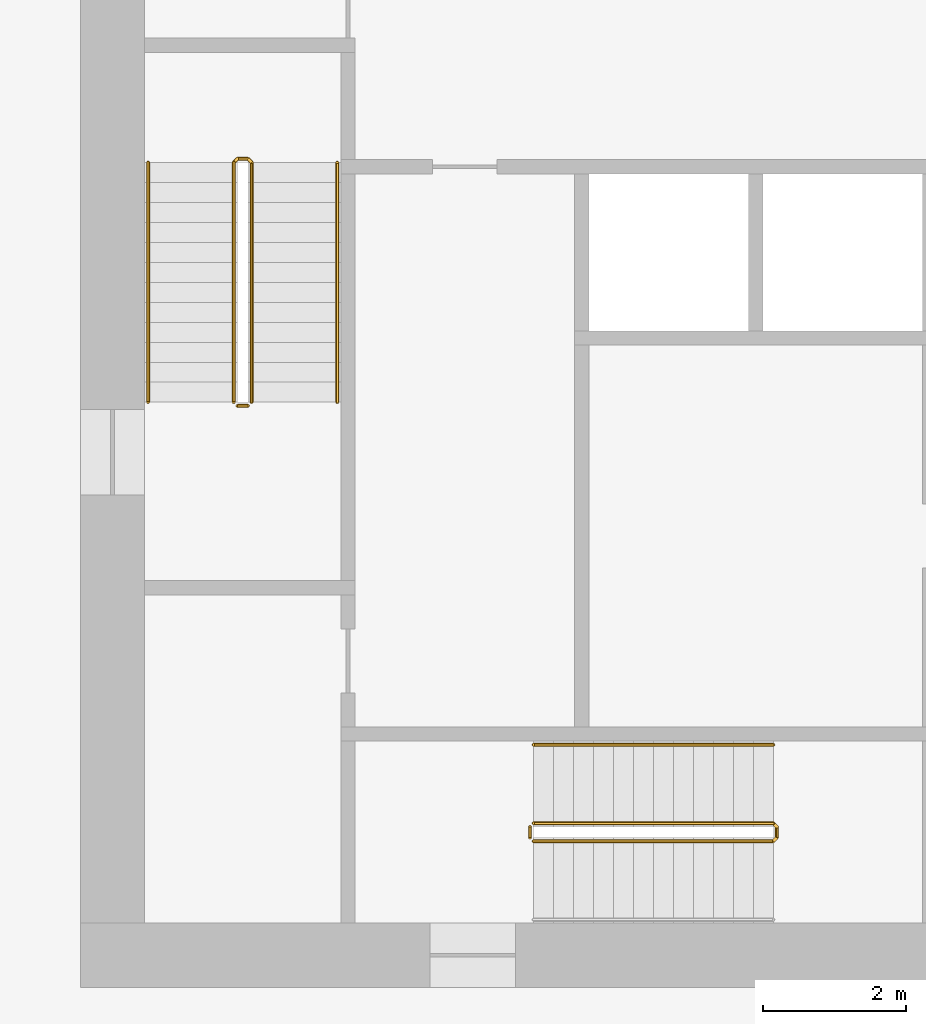
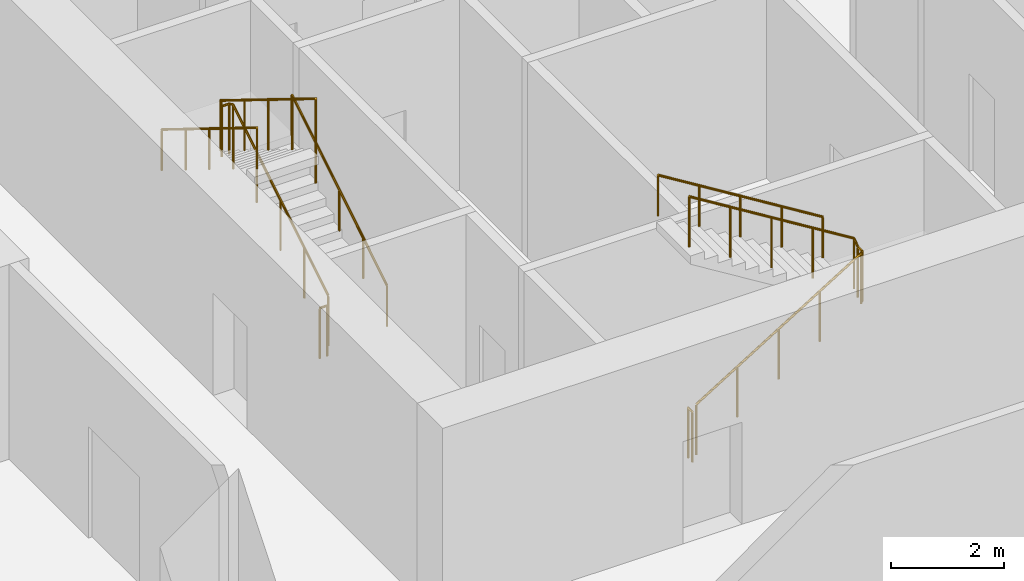
# One storey, part 15 of 18: 7 railings.
"""IFC4 building model written with IfcOpenShell, lengths in metres."""

from ifc_helpers import new_model, si_unit, direction, frame, origin, origin_2d, place, context, subcontext, project, spatial, circle, extrude, material, type_object, element, save


model = new_model("IFC4")

# Units and contexts
model_context = context("Model", 3, precision=1e-05, world=origin(), true_north=direction((0.0, 1.0)))
body_context = subcontext(model_context, "Body", "Model", "MODEL_VIEW")
ifc_project = project(units=[si_unit("LENGTHUNIT", "METRE"), si_unit("AREAUNIT", "SQUARE_METRE"), si_unit("VOLUMEUNIT", "CUBIC_METRE"), si_unit("PLANEANGLEUNIT", "RADIAN"), si_unit("MASSUNIT", "GRAM", prefix="KILO")], contexts=[model_context])

# Site, building, storey
site_placement = place(None, origin())
site = spatial("IfcSite", under=ifc_project, at=site_placement, CompositionType="ELEMENT")
building_placement = place(site_placement, origin())
building = spatial("IfcBuilding", under=site, at=building_placement, Name="Orbiselva Terraces", CompositionType="ELEMENT")
storey_placement = place(building_placement, frame((0.0, 0.0, 10.5)))
storey = spatial("IfcBuildingStorey", under=building, at=storey_placement, Name="L02", CompositionType="ELEMENT", Elevation=10.5)

# Railings
ifc_material = material(Name="Stainless steel", Category="steel")
railing_type_1 = type_object("IfcRailingType", Name="CORE-GUARD-1100", PredefinedType="GUARDRAIL", material=ifc_material)
railing_1_placement = place(storey_placement, frame((-11.1, 12.7, 0.173077)))
element("IfcRailing", 1, at=railing_1_placement, inside=storey, type_object=railing_type_1, Name="L02 S1 stair guard 1", PredefinedType="GUARDRAIL", context=body_context, shape_type="SweptSolid", body=[
    extrude(circle(Radius=0.024, at=origin_2d()), frame((0.0, 0.0, 1.081), z_axis=(0.0, 0.850613581029, 0.525791342426), x_axis=(-1.0, 0.0, 0.0)), (0.0, 0.0, 1.0), 3.95009),
    extrude(circle(Radius=0.024, at=origin_2d()), frame((0.0, 3.36, 3.157923), z_axis=(-0.707106781187, 0.707106781187, 0.0), x_axis=(-0.707106781187, -0.707106781187, 0.0)), (0.0, 0.0, 1.0), 0.070711),
    extrude(circle(Radius=0.024, at=origin_2d()), frame((-0.05, 3.41, 3.157923), z_axis=(-1.0, 0.0, 0.0), x_axis=(0.0, -1.0, 0.0)), (0.0, 0.0, 1.0), 0.15),
    extrude(circle(Radius=0.024, at=origin_2d()), frame((-0.2, 3.41, 3.157923), z_axis=(-0.267430740015, -0.267430740015, 0.92572220379), x_axis=(0.707106781187, -0.707106781187, 0.0)), (0.0, 0.0, 1.0), 0.186964),
    extrude(circle(Radius=0.024, at=origin_2d()), frame((-0.25, 3.36, 3.331), z_axis=(0.0, -0.850613581029, 0.525791342426), x_axis=(1.0, 0.0, 0.0)), (0.0, 0.0, 1.0), 3.95009),
    extrude(circle(Radius=0.021, at=origin_2d()), origin(), (0.0, 0.0, 1.0), 1.057),
    extrude(circle(Radius=0.021, at=origin_2d()), frame((0.0, 0.84, 0.519231)), (0.0, 0.0, 1.0), 1.057),
    extrude(circle(Radius=0.021, at=origin_2d()), frame((0.0, 1.68, 1.038462)), (0.0, 0.0, 1.0), 1.057),
    extrude(circle(Radius=0.021, at=origin_2d()), frame((0.0, 2.52, 1.557692)), (0.0, 0.0, 1.0), 1.057),
    extrude(circle(Radius=0.021, at=origin_2d()), frame((0.0, 3.36, 2.076923)), (0.0, 0.0, 1.0), 1.057),
    extrude(circle(Radius=0.021, at=origin_2d()), frame((-0.05, 3.41, 2.076923)), (0.0, 0.0, 1.0), 1.057),
    extrude(circle(Radius=0.021, at=origin_2d()), frame((-0.2, 3.41, 2.076923)), (0.0, 0.0, 1.0), 1.057),
    extrude(circle(Radius=0.021, at=origin_2d()), frame((-0.25, 3.36, 2.25)), (0.0, 0.0, 1.0), 1.057),
    extrude(circle(Radius=0.021, at=origin_2d()), frame((-0.25, 2.52, 2.769231)), (0.0, 0.0, 1.0), 1.057),
    extrude(circle(Radius=0.021, at=origin_2d()), frame((-0.25, 1.68, 3.288462)), (0.0, 0.0, 1.0), 1.057),
    extrude(circle(Radius=0.021, at=origin_2d()), frame((-0.25, 0.84, 3.807692)), (0.0, 0.0, 1.0), 1.057),
    extrude(circle(Radius=0.021, at=origin_2d()), frame((-0.25, 0.0, 4.326923)), (0.0, 0.0, 1.0), 1.057),
])
railing_2_placement = place(storey_placement, frame((-11.15, 12.65, 0.0)))
element("IfcRailing", 2, at=railing_2_placement, inside=storey, type_object=railing_type_1, Name="L02 S1 stair guard 2", PredefinedType="GUARDRAIL", context=body_context, shape_type="SweptSolid", body=[
    extrude(circle(Radius=0.024, at=origin_2d()), frame((0.0, 0.0, 1.081), z_axis=(-1.0, 0.0, 0.0), x_axis=(0.0, -1.0, 0.0)), (0.0, 0.0, 1.0), 0.15),
    extrude(circle(Radius=0.021, at=origin_2d()), origin(), (0.0, 0.0, 1.0), 1.057),
    extrude(circle(Radius=0.021, at=origin_2d()), frame((-0.15, 0.0, 0.0)), (0.0, 0.0, 1.0), 1.057),
])
railing_3_placement = place(storey_placement, frame((-7.15, 6.55, 0.173077)))
element("IfcRailing", 3, at=railing_3_placement, inside=storey, type_object=railing_type_1, Name="L02 S3 stair guard 1", PredefinedType="GUARDRAIL", context=body_context, shape_type="SweptSolid", body=[
    extrude(circle(Radius=0.024, at=origin_2d()), frame((0.0, 0.0, 1.081), z_axis=(0.850613581029, 0.0, 0.525791342426), x_axis=(0.0, 1.0, 0.0)), (0.0, 0.0, 1.0), 3.95009),
    extrude(circle(Radius=0.024, at=origin_2d()), frame((3.36, 0.0, 3.157923), z_axis=(0.707106781187, 0.707106781187, 0.0), x_axis=(-0.707106781187, 0.707106781187, 0.0)), (0.0, 0.0, 1.0), 0.070711),
    extrude(circle(Radius=0.024, at=origin_2d()), frame((3.41, 0.05, 3.157923), z_axis=(0.0, 1.0, 0.0), x_axis=(-1.0, 0.0, 0.0)), (0.0, 0.0, 1.0), 0.15),
    extrude(circle(Radius=0.024, at=origin_2d()), frame((3.41, 0.2, 3.157923), z_axis=(-0.267430740015, 0.267430740015, 0.92572220379), x_axis=(-0.707106781187, -0.707106781187, 0.0)), (0.0, 0.0, 1.0), 0.186964),
    extrude(circle(Radius=0.024, at=origin_2d()), frame((3.36, 0.25, 3.331), z_axis=(-0.850613581029, 0.0, 0.525791342426), x_axis=(0.0, -1.0, 0.0)), (0.0, 0.0, 1.0), 3.95009),
    extrude(circle(Radius=0.021, at=origin_2d()), origin(), (0.0, 0.0, 1.0), 1.057),
    extrude(circle(Radius=0.021, at=origin_2d()), frame((0.84, 0.0, 0.519231)), (0.0, 0.0, 1.0), 1.057),
    extrude(circle(Radius=0.021, at=origin_2d()), frame((1.68, 0.0, 1.038462)), (0.0, 0.0, 1.0), 1.057),
    extrude(circle(Radius=0.021, at=origin_2d()), frame((2.52, 0.0, 1.557692)), (0.0, 0.0, 1.0), 1.057),
    extrude(circle(Radius=0.021, at=origin_2d()), frame((3.36, 0.0, 2.076923)), (0.0, 0.0, 1.0), 1.057),
    extrude(circle(Radius=0.021, at=origin_2d()), frame((3.41, 0.05, 2.076923)), (0.0, 0.0, 1.0), 1.057),
    extrude(circle(Radius=0.021, at=origin_2d()), frame((3.41, 0.2, 2.076923)), (0.0, 0.0, 1.0), 1.057),
    extrude(circle(Radius=0.021, at=origin_2d()), frame((3.36, 0.25, 2.25)), (0.0, 0.0, 1.0), 1.057),
    extrude(circle(Radius=0.021, at=origin_2d()), frame((2.52, 0.25, 2.769231)), (0.0, 0.0, 1.0), 1.057),
    extrude(circle(Radius=0.021, at=origin_2d()), frame((1.68, 0.25, 3.288462)), (0.0, 0.0, 1.0), 1.057),
    extrude(circle(Radius=0.021, at=origin_2d()), frame((0.84, 0.25, 3.807692)), (0.0, 0.0, 1.0), 1.057),
    extrude(circle(Radius=0.021, at=origin_2d()), frame((0.0, 0.25, 4.326923)), (0.0, 0.0, 1.0), 1.057),
])
railing_4_placement = place(storey_placement, frame((-7.2, 6.6, 0.0)))
element("IfcRailing", 4, at=railing_4_placement, inside=storey, type_object=railing_type_1, Name="L02 S3 stair guard 2", PredefinedType="GUARDRAIL", context=body_context, shape_type="SweptSolid", body=[
    extrude(circle(Radius=0.024, at=origin_2d()), frame((0.0, 0.0, 1.081), z_axis=(0.0, 1.0, 0.0), x_axis=(-1.0, 0.0, 0.0)), (0.0, 0.0, 1.0), 0.15),
    extrude(circle(Radius=0.021, at=origin_2d()), origin(), (0.0, 0.0, 1.0), 1.057),
    extrude(circle(Radius=0.021, at=origin_2d()), frame((0.0, 0.15, 0.0)), (0.0, 0.0, 1.0), 1.057),
])
railing_type_2 = type_object("IfcRailingType", Name="CORE-HANDRAIL-900", PredefinedType="HANDRAIL", material=ifc_material)
railing_5_placement = place(storey_placement, frame((-9.9, 12.7, 0.173077)))
element("IfcRailing", 5, at=railing_5_placement, inside=storey, type_object=railing_type_2, Name="L02 S1 stair handrail 1", PredefinedType="HANDRAIL", context=body_context, shape_type="SweptSolid", body=[
    extrude(circle(Radius=0.024, at=origin_2d()), frame((0.0, 0.0, 0.876), z_axis=(0.0, 0.850613581029, 0.525791342426), x_axis=(-1.0, 0.0, 0.0)), (0.0, 0.0, 1.0), 3.95009),
    extrude(circle(Radius=0.021, at=origin_2d()), origin(), (0.0, 0.0, 1.0), 0.852),
    extrude(circle(Radius=0.021, at=origin_2d()), frame((0.0, 0.84, 0.519231)), (0.0, 0.0, 1.0), 0.852),
    extrude(circle(Radius=0.021, at=origin_2d()), frame((0.0, 1.68, 1.038462)), (0.0, 0.0, 1.0), 0.852),
    extrude(circle(Radius=0.021, at=origin_2d()), frame((0.0, 2.52, 1.557692)), (0.0, 0.0, 1.0), 0.852),
    extrude(circle(Radius=0.021, at=origin_2d()), frame((0.0, 3.36, 2.076923)), (0.0, 0.0, 1.0), 0.852),
])
railing_6_placement = place(storey_placement, frame((-12.55, 16.06, 2.423077)))
element("IfcRailing", 6, at=railing_6_placement, inside=storey, type_object=railing_type_2, Name="L02 S1 stair handrail 2", PredefinedType="HANDRAIL", context=body_context, shape_type="SweptSolid", body=[
    extrude(circle(Radius=0.024, at=origin_2d()), frame((0.0, 0.0, 0.876), z_axis=(0.0, -0.850613581029, 0.525791342426), x_axis=(1.0, 0.0, 0.0)), (0.0, 0.0, 1.0), 3.95009),
    extrude(circle(Radius=0.021, at=origin_2d()), origin(), (0.0, 0.0, 1.0), 0.852),
    extrude(circle(Radius=0.021, at=origin_2d()), frame((0.0, -0.84, 0.519231)), (0.0, 0.0, 1.0), 0.852),
    extrude(circle(Radius=0.021, at=origin_2d()), frame((0.0, -1.68, 1.038462)), (0.0, 0.0, 1.0), 0.852),
    extrude(circle(Radius=0.021, at=origin_2d()), frame((0.0, -2.52, 1.557692)), (0.0, 0.0, 1.0), 0.852),
    extrude(circle(Radius=0.021, at=origin_2d()), frame((0.0, -3.36, 2.076923)), (0.0, 0.0, 1.0), 0.852),
])
railing_7_placement = place(storey_placement, frame((-3.79, 7.9, 2.423077)))
element("IfcRailing", 7, at=railing_7_placement, inside=storey, type_object=railing_type_2, Name="L02 S3 stair handrail 2", PredefinedType="HANDRAIL", context=body_context, shape_type="SweptSolid", body=[
    extrude(circle(Radius=0.024, at=origin_2d()), frame((0.0, 0.0, 0.876), z_axis=(-0.850613581029, 0.0, 0.525791342426), x_axis=(0.0, -1.0, 0.0)), (0.0, 0.0, 1.0), 3.95009),
    extrude(circle(Radius=0.021, at=origin_2d()), origin(), (0.0, 0.0, 1.0), 0.852),
    extrude(circle(Radius=0.021, at=origin_2d()), frame((-0.84, 0.0, 0.519231)), (0.0, 0.0, 1.0), 0.852),
    extrude(circle(Radius=0.021, at=origin_2d()), frame((-1.68, 0.0, 1.038462)), (0.0, 0.0, 1.0), 0.852),
    extrude(circle(Radius=0.021, at=origin_2d()), frame((-2.52, 0.0, 1.557692)), (0.0, 0.0, 1.0), 0.852),
    extrude(circle(Radius=0.021, at=origin_2d()), frame((-3.36, 0.0, 2.076923)), (0.0, 0.0, 1.0), 0.852),
])

save(model, "model.ifc")
